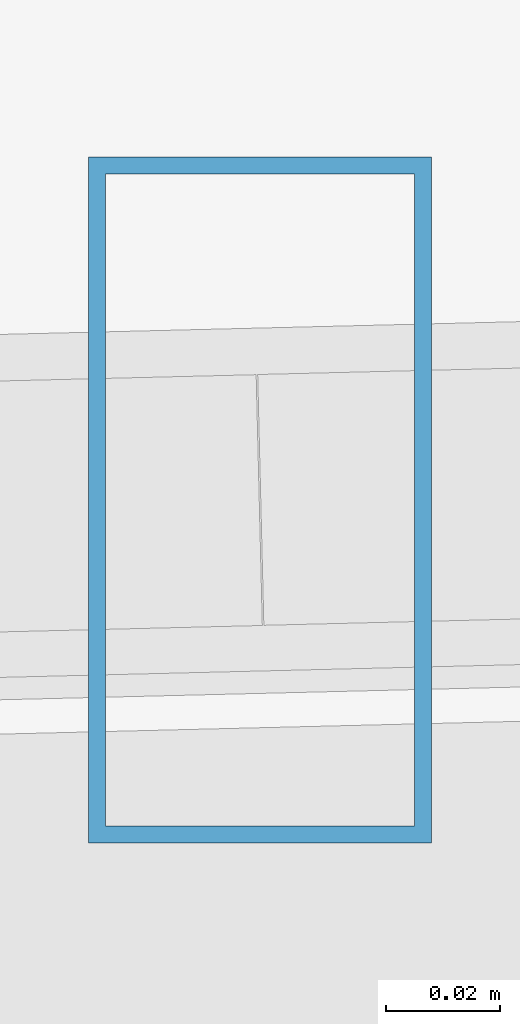
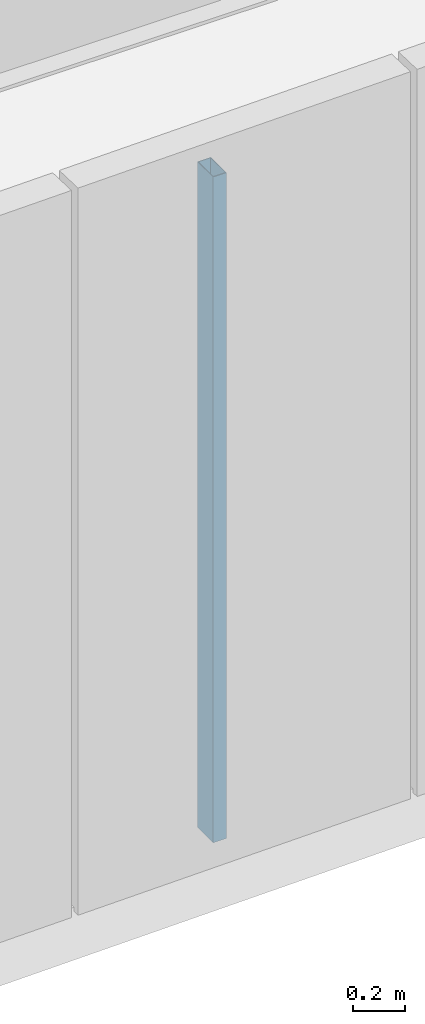
# One storey, part 5 of 47: 1 member, 1 element without a shape of its own.
"""IFC4 building model written with IfcOpenShell, lengths in metres."""

from ifc_helpers import new_model, si_unit, direction, frame, origin, origin_2d, place, context, subcontext, project, spatial, hollow_rectangle, extrude, source, transform, mapped, material, material_profile, profile_set, type_object, type_shapes, element, aggregate, save


model = new_model("IFC4")

# Units and contexts
model_context = context("Model", 3, precision=1e-05, world=origin(), true_north=direction((0.0, 1.0)))
body_context = subcontext(model_context, "Body", "Model", "MODEL_VIEW")
ifc_project = project(units=[si_unit("LENGTHUNIT", "METRE"), si_unit("AREAUNIT", "SQUARE_METRE"), si_unit("VOLUMEUNIT", "CUBIC_METRE"), si_unit("PLANEANGLEUNIT", "RADIAN"), si_unit("MASSUNIT", "GRAM", prefix="KILO")], contexts=[model_context])

# Site, building, storey
site_placement = place(None, origin())
site = spatial("IfcSite", under=ifc_project, at=site_placement, CompositionType="ELEMENT")
building_placement = place(site_placement, origin())
building = spatial("IfcBuilding", under=site, at=building_placement, Name="Caelisora Broadcast Tower", CompositionType="ELEMENT")
storey_placement = place(building_placement, frame((0.0, 0.0, 293.199951171875)))
storey = spatial("IfcBuildingStorey", under=building, at=storey_placement, Name="L77", CompositionType="ELEMENT", Elevation=293.199951171875)

# Curtain wall, member
ifc_material_1 = material(Name="Unitised Aluminium Insulated Shadow-Box Spandrel Curtain Wall", Category="aluminium")
curtain_wall_type = type_object("IfcCurtainWallType", Name="CW-SP3", PredefinedType="NOTDEFINED", material=ifc_material_1)
curtain_wall_placement = place(storey_placement, origin())
curtain_wall = element("IfcCurtainWall", 1, at=curtain_wall_placement, inside=storey, type_object=curtain_wall_type, Name="L77 curtain wall CW-SP3", PredefinedType="NOTDEFINED")
ifc_material_2 = material(Name="Aluminium 6063-T6 Anodised Terracotta Bronze", Category="aluminium")
ifc_material_profile = material_profile(ifc_material_2, hollow_rectangle(XDim=0.06005859375, YDim=0.1201171875, WallThickness=0.0029296875, at=origin_2d()), Name="Aluminium 6063-T6 Anodised Terracotta Bronze")
ifc_profile_set = profile_set([ifc_material_profile], Name="Aluminium 6063-T6 Anodised Terracotta Bronze")
member_type = type_object("IfcMemberType", Name="CWM-04", PredefinedType="MULLION", material=ifc_profile_set)
shared_shape = source(origin(), body_context, "Body", "SweptSolid", [
    extrude(hollow_rectangle(XDim=0.06005859375, YDim=0.1201171875, WallThickness=0.0029296875, at=origin_2d()), origin(), (0.0, 0.0, 1.0), 3.150146484375),
])
type_shapes(member_type, [shared_shape])
member_placement = place(storey_placement, frame((25.1806640625, 8.614013671875, 0.0), z_axis=(0.0, 0.0, 1.0), x_axis=(1.0, 0.0, 0.0)))
member = element("IfcMember", 2, at=member_placement, type_object=member_type, Name="L77-CW-B07 mullion #1", PredefinedType="MULLION", context=body_context, shape_type="MappedRepresentation", body=[
    mapped(shared_shape, transform((0.0, 0.0, 0.0), scale=1.0)),
])
aggregate(curtain_wall, [member])

save(model, "model.ifc")
